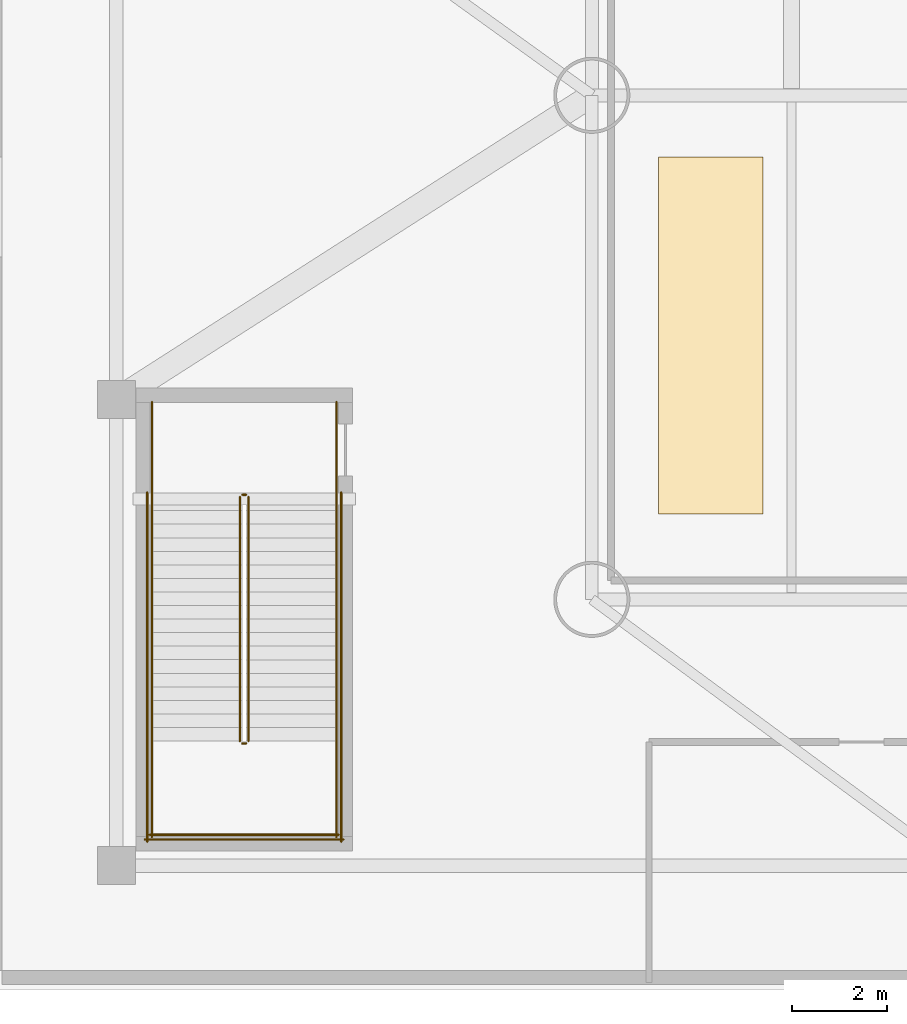
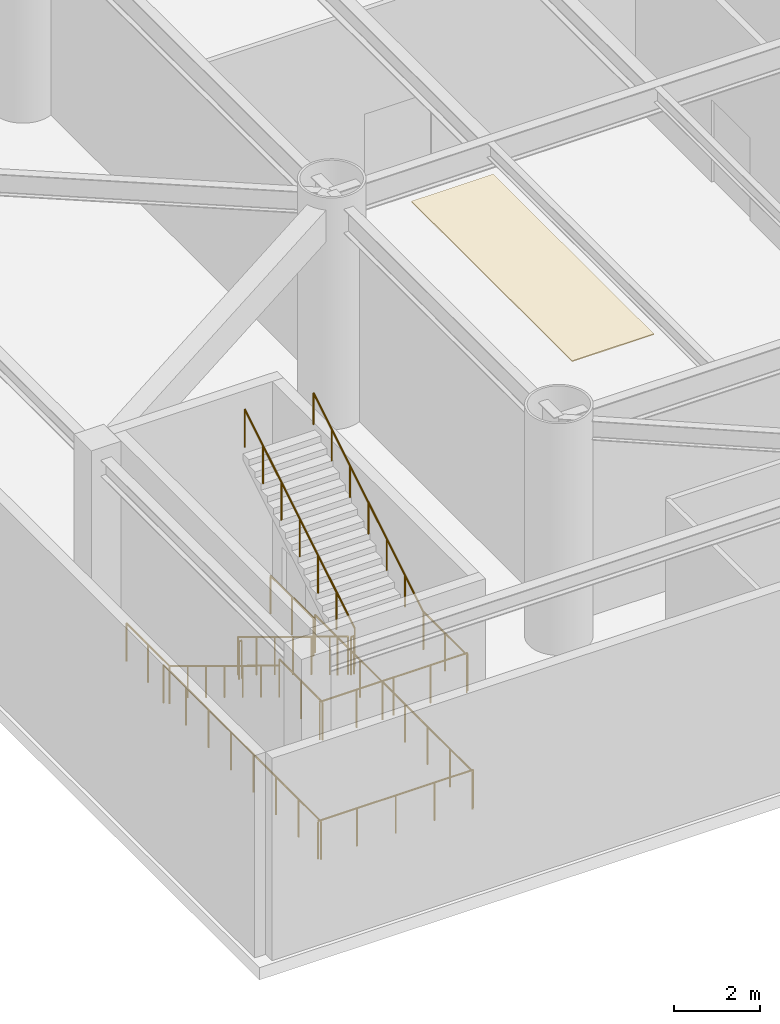
# One storey, part 10 of 16: 14 railings, 1 covering.
"""IFC4 building model written with IfcOpenShell, lengths in metres."""

import ifcopenshell
import ifcopenshell.guid

model = None  # the IFC model being written
_history = None  # IfcOwnerHistory: only IFC2X3 demands one
_inside = {}  # id of a spatial element -> (the spatial element, [elements in it])
_under = {}  # id of a project, library or spatial element -> (it, [spatial elements below it])
_declared = {}  # id of a project -> (the project, [libraries it declares])
_typed = {}  # id of a type object -> (the type object, [elements of that type])
_made_of = {}  # id of a material, layer set ... -> (it, [elements and type objects made of it])


def new_model(schema):
    """Start an empty IFC model of exactly this schema.

    Asked for "IFC4X3", IfcOpenShell would pick the latest addendum, in which some entities
    have other attributes; the version numbers below select the first issue.
    IFC2X3 requires an IfcOwnerHistory on every rooted entity: one is made here for all.
    """
    global model, _history
    if schema == "IFC4X3":
        model = ifcopenshell.file(schema_version=(4, 3, 0, 0))
    else:
        model = ifcopenshell.file(schema=schema)
    _inside.clear()
    _under.clear()
    _declared.clear()
    _typed.clear()
    _made_of.clear()
    _history = None
    if model.schema == "IFC2X3":
        org = make("IfcOrganization", Name="unknown")
        user = make(
            "IfcPersonAndOrganization",
            ThePerson=make("IfcPerson", FamilyName="unknown"),
            TheOrganization=org,
        )
        app = make(
            "IfcApplication",
            ApplicationDeveloper=org,
            Version="unknown",
            ApplicationFullName="unknown",
            ApplicationIdentifier="unknown",
        )
        _history = make(
            "IfcOwnerHistory",
            OwningUser=user,
            OwningApplication=app,
            ChangeAction="ADDED",
            CreationDate=0,
        )
    return model


def make(cls, **values):
    """One entity of the class cls with the attributes given. An attribute that is None is left unset."""
    return model.create_entity(
        cls, **{name: value for name, value in values.items() if value is not None}
    )


def rooted(cls, **values):
    """An entity with a GlobalId (a new one), such as an element, a storey or a relation."""
    return make(cls, GlobalId=ifcopenshell.guid.new(), OwnerHistory=_history, **values)


def si_unit(unit_type, name, prefix=None):
    """IfcSIUnit, for example si_unit("LENGTHUNIT", "METRE", prefix="MILLI")."""
    return make("IfcSIUnit", UnitType=unit_type, Prefix=prefix, Name=name)


def assignment(units):
    """IfcUnitAssignment: the units of a project."""
    return None if units is None else make("IfcUnitAssignment", Units=units)


def point(xyz):
    """IfcCartesianPoint."""
    return None if xyz is None else make("IfcCartesianPoint", Coordinates=xyz)


def direction(xyz):
    """IfcDirection."""
    return None if xyz is None else make("IfcDirection", DirectionRatios=xyz)


def frame(location, z_axis=None, x_axis=None):
    """IfcAxis2Placement3D, a coordinate frame: its origin and axes. An axis left out is left unset."""
    return make(
        "IfcAxis2Placement3D",
        Location=point(location),
        Axis=direction(z_axis),
        RefDirection=direction(x_axis),
    )


def frame_2d(location, x_axis=None):
    """IfcAxis2Placement2D, a coordinate frame in the plane: its origin and x axis."""
    return make(
        "IfcAxis2Placement2D", Location=point(location), RefDirection=direction(x_axis)
    )


def origin():
    """The frame at (0, 0, 0) with its axes left unset."""
    return frame((0.0, 0.0, 0.0))


def origin_2d():
    """The frame at (0, 0) in the plane with its x axis left unset."""
    return frame_2d((0.0, 0.0))


def place(relative_to, where):
    """IfcLocalPlacement: puts the frame where relative to a parent placement (None: the world)."""
    return make(
        "IfcLocalPlacement", PlacementRelTo=relative_to, RelativePlacement=where
    )


def context(
    kind, dimensions, precision=None, world=None, true_north=None, identifier=None
):
    """IfcGeometricRepresentationContext, for example the 3D "Model" context."""
    return make(
        "IfcGeometricRepresentationContext",
        ContextIdentifier=identifier,
        ContextType=kind,
        CoordinateSpaceDimension=dimensions,
        Precision=precision,
        WorldCoordinateSystem=world,
        TrueNorth=true_north,
    )


def subcontext(parent, identifier, kind, view, scale=None):
    """IfcGeometricRepresentationSubContext, for example "Body" below "Model"."""
    return make(
        "IfcGeometricRepresentationSubContext",
        ContextIdentifier=identifier,
        ContextType=kind,
        ParentContext=parent,
        TargetScale=scale,
        TargetView=view,
    )


def project(units=None, contexts=None):
    """IfcProject with its units and contexts."""
    return rooted(
        "IfcProject",
        Name="project",
        RepresentationContexts=contexts,
        UnitsInContext=assignment(units),
    )


def spatial(cls, under=None, at=None, **own):
    """A site, building, storey or space (cls), placed at a placement, below another one or the project."""
    s = rooted(cls, ObjectPlacement=at, **own)
    if under is not None:
        _under.setdefault(under.id(), (under, []))[1].append(s)
    return s


def polyline(points):
    """IfcPolyline through the points."""
    return make("IfcPolyline", Points=[point(p) for p in points])


def profile(cls, at=None, kind="AREA", **sizes):
    """A parametric profile (cls). Its sizes go by their IFC names, for example OverallWidth=200.0."""
    return make(cls, ProfileType=kind, Position=at, **sizes)


def circle(**sizes):
    """IfcCircleProfileDef."""
    return profile("IfcCircleProfileDef", **sizes)


def outline(outer, holes=None, kind="AREA"):
    """IfcArbitraryClosedProfileDef: a profile drawn as a closed curve; with holes, ...WithVoids."""
    if holes is None:
        return make("IfcArbitraryClosedProfileDef", ProfileType=kind, OuterCurve=outer)
    return make(
        "IfcArbitraryProfileDefWithVoids",
        ProfileType=kind,
        OuterCurve=outer,
        InnerCurves=holes,
    )


def extrude(swept, where, along, depth):
    """IfcExtrudedAreaSolid: the profile swept, set in the frame where, extruded along a direction by depth."""
    return make(
        "IfcExtrudedAreaSolid",
        SweptArea=swept,
        Position=where,
        ExtrudedDirection=direction(along),
        Depth=depth,
    )


def shape(context_of_items, identifier, shape_type, items):
    """IfcShapeRepresentation: the items that make up one representation, for example the "Body"."""
    return make(
        "IfcShapeRepresentation",
        ContextOfItems=context_of_items,
        RepresentationIdentifier=identifier,
        RepresentationType=shape_type,
        Items=items,
    )


def material(Name=None, Category=None):
    """IfcMaterial."""
    return make("IfcMaterial", Name=Name, Category=Category)


def layer(
    of_material, thickness, ventilated=None, Name=None, Category=None, Priority=None
):
    """IfcMaterialLayer: one layer of a wall or slab, of a material (None: an air gap)."""
    return make(
        "IfcMaterialLayer",
        Material=of_material,
        LayerThickness=thickness,
        IsVentilated=ventilated,
        Name=Name,
        Category=Category,
        Priority=Priority,
    )


def layer_set(layers, Name=None):
    """IfcMaterialLayerSet."""
    return make("IfcMaterialLayerSet", MaterialLayers=layers, LayerSetName=Name)


def made_of(thing, what):
    """Note that an element or type object is made of a material, layer set ...; save() writes the relation."""
    if what is not None:
        _made_of.setdefault(what.id(), (what, []))[1].append(thing)
    return thing


def type_object(cls, material=None, **own):
    """A type object (cls), such as IfcWallType, which elements share."""
    return made_of(rooted(cls, **own), material)


def element(
    cls,
    number,
    at=None,
    inside=None,
    cuts=None,
    type_object=None,
    material=None,
    context=None,
    identifier="Body",
    shape_type=None,
    held_by="IfcProductDefinitionShape",
    body=None,
    shapes=None,
    **own,
):
    """One element of the class cls, such as IfcWall. Its Tag is "e" and its number.

    at: its placement. inside: the storey or other place that contains it. cuts: it is an
    opening in that element (IfcRelVoidsElement). A single representation is given by context,
    identifier, shape_type and body (its items); several are given by shapes. held_by: the class
    of the entity that holds the representations. save() writes the other relations.
    """
    e = rooted(cls, Tag="e%d" % number, ObjectPlacement=at, **own)
    if body is not None:
        shapes = [shape(context, identifier, shape_type, body)]
    if shapes is not None:
        e.Representation = make(held_by, Representations=shapes)
    if inside is not None:
        _inside.setdefault(inside.id(), (inside, []))[1].append(e)
    if cuts is not None:
        rooted(
            "IfcRelVoidsElement", RelatingBuildingElement=cuts, RelatedOpeningElement=e
        )
    if type_object is not None:
        _typed.setdefault(type_object.id(), (type_object, []))[1].append(e)
    return made_of(e, material)


def aggregate(whole, parts):
    """IfcRelAggregates: a whole, such as a stair, and the parts it consists of."""
    return rooted("IfcRelAggregates", RelatingObject=whole, RelatedObjects=parts)


def save(model, path):
    """Write the relations noted so far, then the file.

    IfcRelAggregates (storeys below a building ...), IfcRelContainedInSpatialStructure (elements
    in a storey), IfcRelDefinesByType, IfcRelAssociatesMaterial and IfcRelDeclares: one each for
    every whole, place, type object, material and project.
    """
    for whole, parts in _under.values():
        aggregate(whole, parts)
    for where, things in _inside.values():
        rooted(
            "IfcRelContainedInSpatialStructure",
            RelatedElements=things,
            RelatingStructure=where,
        )
    for kind, things in _typed.values():
        rooted("IfcRelDefinesByType", RelatedObjects=things, RelatingType=kind)
    for what, things in _made_of.values():
        rooted("IfcRelAssociatesMaterial", RelatedObjects=things, RelatingMaterial=what)
    for by, libraries in _declared.values():
        rooted("IfcRelDeclares", RelatingContext=by, RelatedDefinitions=libraries)
    model.write(path)


model = new_model("IFC4")

# Units and contexts
model_context = context("Model", 3, precision=1e-05, world=origin(), true_north=direction((0.0, 1.0)))
body_context = subcontext(model_context, "Body", "Model", "MODEL_VIEW")
ifc_project = project(units=[si_unit("LENGTHUNIT", "METRE"), si_unit("AREAUNIT", "SQUARE_METRE"), si_unit("VOLUMEUNIT", "CUBIC_METRE"), si_unit("PLANEANGLEUNIT", "RADIAN"), si_unit("MASSUNIT", "GRAM", prefix="KILO")], contexts=[model_context])

# Site, building, storey
site_placement = place(None, origin())
site = spatial("IfcSite", under=ifc_project, at=site_placement, CompositionType="ELEMENT")
building_placement = place(site_placement, origin())
building = spatial("IfcBuilding", under=site, at=building_placement, Name="Bramvorn Convention Spire", CompositionType="ELEMENT")
storey_placement = place(building_placement, frame((0.0, 0.0, 12.0)))
storey = spatial("IfcBuildingStorey", under=building, at=storey_placement, Name="L02", CompositionType="ELEMENT", Elevation=12.0)

# Covering
ifc_material_1 = material(Name="Rift-Cut White Oak Linear Slat Acoustic Ceiling", Category="wood")
ifc_layer = layer(ifc_material_1, 0.030029296875)
ifc_layer_set = layer_set([ifc_layer], Name="Rift-Cut White Oak Linear Slat Acoustic Ceiling - CLG-TIMBER-30")
covering_type = type_object("IfcCoveringType", Name="CLG-TIMBER-30", PredefinedType="CEILING", material=ifc_layer_set)
covering_placement = place(storey_placement, frame((0.0, 0.0, 6.219970703125)))
element("IfcCovering", 1, at=covering_placement, inside=storey, type_object=covering_type, Name="L02 Exhibition Hall oak acoustic ceiling", PredefinedType="CEILING", context=body_context, shape_type="SweptSolid", body=[
    extrude(outline(polyline([(14.199951171875, 10.0), (16.39990234375, 10.0), (16.39990234375, 17.5), (14.199951171875, 17.5), (14.199951171875, 10.0)])), origin(), (0.0, 0.0, 1.0), 0.030029296875),
])

# Railings
ifc_material_2 = material(Name="Painted Steel Balustrade & Guardrail", Category="steel")
railing_type_1 = type_object("IfcRailingType", Name="RL-STAIR-GUARD-1100", PredefinedType="GUARDRAIL", material=ifc_material_2)
railing_1_placement = place(storey_placement, frame((5.39990234375, 10.35009765625, 0.173583984375)))
element("IfcRailing", 2, at=railing_1_placement, inside=storey, type_object=railing_type_1, Name="L02 ST4 stair guard 1", PredefinedType="GUARDRAIL", context=body_context, shape_type="SweptSolid", body=[
    extrude(circle(Radius=0.02392578125, at=origin_2d()), frame((0.0, 0.0, 1.076171875), z_axis=(0.0, -0.853919069452, 0.520405825127), x_axis=(1.0, 0.0, 0.0)), (0.0, 0.0, 1.0), 6.0078125),
    extrude(circle(Radius=0.02099609375, at=origin_2d()), origin(), (0.0, 0.0, 1.0), 1.052001953125),
    extrude(circle(Radius=0.02099609375, at=origin_2d()), frame((0.0, -0.85498046875, 0.52099609375)), (0.0, 0.0, 1.0), 1.052001953125),
    extrude(circle(Radius=0.02099609375, at=origin_2d()), frame((0.0, -1.7099609375, 1.042236328125)), (0.0, 0.0, 1.0), 1.052001953125),
    extrude(circle(Radius=0.02099609375, at=origin_2d()), frame((0.0, -2.56494140625, 1.563232421875)), (0.0, 0.0, 1.0), 1.052001953125),
    extrude(circle(Radius=0.02099609375, at=origin_2d()), frame((0.0, -3.420166015625, 2.084228515625)), (0.0, 0.0, 1.0), 1.052001953125),
    extrude(circle(Radius=0.02099609375, at=origin_2d()), frame((0.0, -4.275146484375, 2.60546875)), (0.0, 0.0, 1.0), 1.052001953125),
    extrude(circle(Radius=0.02099609375, at=origin_2d()), frame((0.0, -5.130126953125, 3.12646484375)), (0.0, 0.0, 1.0), 1.052001953125),
])
railing_2_placement = place(storey_placement, frame((5.449951171875, 5.169921875, 3.300048828125)))
element("IfcRailing", 3, at=railing_2_placement, inside=storey, type_object=railing_type_1, Name="L02 ST4 stair guard 2", PredefinedType="GUARDRAIL", context=body_context, shape_type="SweptSolid", body=[
    extrude(circle(Radius=0.02392578125, at=origin_2d()), frame((0.0, 0.0, 1.076171875), z_axis=(1.0, 0.0, 0.0), x_axis=(0.0, 1.0, 0.0)), (0.0, 0.0, 1.0), 0.080078125),
    extrude(circle(Radius=0.02099609375, at=origin_2d()), origin(), (0.0, 0.0, 1.0), 1.052001953125),
    extrude(circle(Radius=0.02099609375, at=origin_2d()), frame((0.080078125, 0.0, 0.0)), (0.0, 0.0, 1.0), 1.052001953125),
])
for number, where, name in (
    (4, (3.550048828125, 5.219970703125, 3.300048828125), "L02 ST4 stair guard 3"),
    (5, (7.429931640625, 5.219970703125, 3.300048828125), "L02 ST4 stair guard 4"),
):
    element("IfcRailing", number, at=place(storey_placement, frame(where)), inside=storey, type_object=railing_type_1, Name=name, PredefinedType="GUARDRAIL", context=body_context, shape_type="SweptSolid", body=[
        extrude(circle(Radius=0.02392578125, at=origin_2d()), frame((0.0, 0.0, 1.076171875), z_axis=(0.0, -1.0, 0.0), x_axis=(1.0, 0.0, 0.0)), (0.0, 0.0, 1.0), 2.02001953125),
        extrude(circle(Radius=0.02099609375, at=origin_2d()), origin(), (0.0, 0.0, 1.0), 1.052001953125),
        extrude(circle(Radius=0.02099609375, at=origin_2d()), frame((0.0, -1.010009765625, 0.0)), (0.0, 0.0, 1.0), 1.052001953125),
        extrude(circle(Radius=0.02099609375, at=origin_2d()), frame((0.0, -2.02001953125, 0.0)), (0.0, 0.0, 1.0), 1.052001953125),
    ])
railing_3_placement = place(storey_placement, frame((3.5, 3.25, 3.300048828125)))
element("IfcRailing", 6, at=railing_3_placement, inside=storey, type_object=railing_type_1, Name="L02 ST4 stair guard 5", PredefinedType="GUARDRAIL", context=body_context, shape_type="SweptSolid", body=[
    extrude(circle(Radius=0.02392578125, at=origin_2d()), frame((0.0, 0.0, 1.076171875), z_axis=(1.0, 0.0, 0.0), x_axis=(0.0, 1.0, 0.0)), (0.0, 0.0, 1.0), 3.97998046875),
    extrude(circle(Radius=0.02099609375, at=origin_2d()), origin(), (0.0, 0.0, 1.0), 1.052001953125),
    extrude(circle(Radius=0.02099609375, at=origin_2d()), frame((0.9951171875, 0.0, 0.0)), (0.0, 0.0, 1.0), 1.052001953125),
    extrude(circle(Radius=0.02099609375, at=origin_2d()), frame((1.989990234375, 0.0, 0.0)), (0.0, 0.0, 1.0), 1.052001953125),
    extrude(circle(Radius=0.02099609375, at=origin_2d()), frame((2.98486328125, 0.0, 0.0)), (0.0, 0.0, 1.0), 1.052001953125),
    extrude(circle(Radius=0.02099609375, at=origin_2d()), frame((3.97998046875, 0.0, 0.0)), (0.0, 0.0, 1.0), 1.052001953125),
])
railing_4_placement = place(storey_placement, frame((5.580078125, 5.219970703125, 3.4736328125)))
element("IfcRailing", 7, at=railing_4_placement, inside=storey, type_object=railing_type_1, Name="L02 ST4 stair guard 6", PredefinedType="GUARDRAIL", context=body_context, shape_type="SweptSolid", body=[
    extrude(circle(Radius=0.02392578125, at=origin_2d()), frame((0.0, 0.0, 1.076171875), z_axis=(0.0, 0.853919069452, 0.520405825127), x_axis=(-1.0, 0.0, 0.0)), (0.0, 0.0, 1.0), 6.0078125),
    extrude(circle(Radius=0.02099609375, at=origin_2d()), origin(), (0.0, 0.0, 1.0), 1.052001953125),
    extrude(circle(Radius=0.02099609375, at=origin_2d()), frame((0.0, 0.85498046875, 0.52099609375)), (0.0, 0.0, 1.0), 1.052001953125),
    extrude(circle(Radius=0.02099609375, at=origin_2d()), frame((0.0, 1.7099609375, 1.042236328125)), (0.0, 0.0, 1.0), 1.052001953125),
    extrude(circle(Radius=0.02099609375, at=origin_2d()), frame((0.0, 2.56494140625, 1.563232421875)), (0.0, 0.0, 1.0), 1.052001953125),
    extrude(circle(Radius=0.02099609375, at=origin_2d()), frame((0.0, 3.420166015625, 2.084228515625)), (0.0, 0.0, 1.0), 1.052001953125),
    extrude(circle(Radius=0.02099609375, at=origin_2d()), frame((0.0, 4.275146484375, 2.60546875)), (0.0, 0.0, 1.0), 1.052001953125),
    extrude(circle(Radius=0.02099609375, at=origin_2d()), frame((0.0, 5.130126953125, 3.12646484375)), (0.0, 0.0, 1.0), 1.052001953125),
])
railing_5_placement = place(storey_placement, frame((5.449951171875, 10.39990234375, 0.0)))
element("IfcRailing", 8, at=railing_5_placement, inside=storey, type_object=railing_type_1, Name="L02 ST4 stair guard 7", PredefinedType="GUARDRAIL", context=body_context, shape_type="SweptSolid", body=[
    extrude(circle(Radius=0.02392578125, at=origin_2d()), frame((0.0, 0.0, 1.076171875), z_axis=(1.0, 0.0, 0.0), x_axis=(0.0, 1.0, 0.0)), (0.0, 0.0, 1.0), 0.080078125),
    extrude(circle(Radius=0.02099609375, at=origin_2d()), origin(), (0.0, 0.0, 1.0), 1.052001953125),
    extrude(circle(Radius=0.02099609375, at=origin_2d()), frame((0.080078125, 0.0, 0.0)), (0.0, 0.0, 1.0), 1.052001953125),
])
for number, where, name in (
    (9, (3.550048828125, 12.35009765625, 0.0), "L02 ST4 stair guard 8"),
    (10, (7.429931640625, 12.35009765625, 0.0), "L02 ST4 stair guard 9"),
):
    element("IfcRailing", number, at=place(storey_placement, frame(where)), inside=storey, type_object=railing_type_1, Name=name, PredefinedType="GUARDRAIL", context=body_context, shape_type="SweptSolid", body=[
        extrude(circle(Radius=0.02392578125, at=origin_2d()), frame((0.0, 0.0, 1.076171875), z_axis=(0.0, -1.0, 0.0), x_axis=(1.0, 0.0, 0.0)), (0.0, 0.0, 1.0), 2.0),
        extrude(circle(Radius=0.02099609375, at=origin_2d()), origin(), (0.0, 0.0, 1.0), 1.052001953125),
        extrude(circle(Radius=0.02099609375, at=origin_2d()), frame((0.0, -1.0, 0.0)), (0.0, 0.0, 1.0), 1.052001953125),
        extrude(circle(Radius=0.02099609375, at=origin_2d()), frame((0.0, -2.0, 0.0)), (0.0, 0.0, 1.0), 1.052001953125),
    ])
for number, where, name in (
    (11, (3.449951171875, 10.449951171875, 0.0), "L02 ST4 stair guard 10"),
    (12, (7.530029296875, 10.449951171875, 0.0), "L02 ST4 stair guard 11"),
):
    element("IfcRailing", number, at=place(storey_placement, frame(where)), inside=storey, type_object=railing_type_1, Name=name, PredefinedType="GUARDRAIL", context=body_context, shape_type="SweptSolid", body=[
        extrude(circle(Radius=0.02392578125, at=origin_2d()), frame((0.0, 0.0, 1.076171875), z_axis=(0.0, -1.0, 0.0), x_axis=(1.0, 0.0, 0.0)), (0.0, 0.0, 1.0), 7.349853515625),
        extrude(circle(Radius=0.02099609375, at=origin_2d()), origin(), (0.0, 0.0, 1.0), 1.052001953125),
        extrude(circle(Radius=0.02099609375, at=origin_2d()), frame((0.0, -1.050048828125, 0.0)), (0.0, 0.0, 1.0), 1.052001953125),
        extrude(circle(Radius=0.02099609375, at=origin_2d()), frame((0.0, -2.099853515625, 0.0)), (0.0, 0.0, 1.0), 1.052001953125),
        extrude(circle(Radius=0.02099609375, at=origin_2d()), frame((0.0, -3.14990234375, 0.0)), (0.0, 0.0, 1.0), 1.052001953125),
        extrude(circle(Radius=0.02099609375, at=origin_2d()), frame((0.0, -4.199951171875, 0.0)), (0.0, 0.0, 1.0), 1.052001953125),
        extrude(circle(Radius=0.02099609375, at=origin_2d()), frame((0.0, -5.25, 0.0)), (0.0, 0.0, 1.0), 1.052001953125),
        extrude(circle(Radius=0.02099609375, at=origin_2d()), frame((0.0, -6.2998046875, 0.0)), (0.0, 0.0, 1.0), 1.052001953125),
        extrude(circle(Radius=0.02099609375, at=origin_2d()), frame((0.0, -7.349853515625, 0.0)), (0.0, 0.0, 1.0), 1.052001953125),
    ])
railing_6_placement = place(storey_placement, frame((3.39990234375, 3.14990234375, 0.0)))
element("IfcRailing", 13, at=railing_6_placement, inside=storey, type_object=railing_type_1, Name="L02 ST4 stair guard 12", PredefinedType="GUARDRAIL", context=body_context, shape_type="SweptSolid", body=[
    extrude(circle(Radius=0.02392578125, at=origin_2d()), frame((0.0, 0.0, 1.076171875), z_axis=(1.0, 0.0, 0.0), x_axis=(0.0, 1.0, 0.0)), (0.0, 0.0, 1.0), 4.18017578125),
    extrude(circle(Radius=0.02099609375, at=origin_2d()), origin(), (0.0, 0.0, 1.0), 1.052001953125),
    extrude(circle(Radius=0.02099609375, at=origin_2d()), frame((1.044921875, 0.0, 0.0)), (0.0, 0.0, 1.0), 1.052001953125),
    extrude(circle(Radius=0.02099609375, at=origin_2d()), frame((2.090087890625, 0.0, 0.0)), (0.0, 0.0, 1.0), 1.052001953125),
    extrude(circle(Radius=0.02099609375, at=origin_2d()), frame((3.13525390625, 0.0, 0.0)), (0.0, 0.0, 1.0), 1.052001953125),
    extrude(circle(Radius=0.02099609375, at=origin_2d()), frame((4.18017578125, 0.0, 0.0)), (0.0, 0.0, 1.0), 1.052001953125),
])
ifc_material_3 = material(Name="Brushed Bronze Tubular Handrail", Category="aluminium")
railing_type_2 = type_object("IfcRailingType", Name="RL-STAIR-HR-920", PredefinedType="HANDRAIL", material=ifc_material_3)
railing_7_placement = place(storey_placement, frame((3.550048828125, 10.35009765625, 0.173583984375)))
element("IfcRailing", 14, at=railing_7_placement, inside=storey, type_object=railing_type_2, Name="L02 ST4 stair handrail 1", PredefinedType="HANDRAIL", context=body_context, shape_type="SweptSolid", body=[
    extrude(circle(Radius=0.02392578125, at=origin_2d()), frame((0.0, 0.0, 0.89599609375), z_axis=(0.0, -0.853919069452, 0.520405825127), x_axis=(1.0, 0.0, 0.0)), (0.0, 0.0, 1.0), 6.0078125),
    extrude(circle(Radius=0.02099609375, at=origin_2d()), origin(), (0.0, 0.0, 1.0), 0.871826171875),
    extrude(circle(Radius=0.02099609375, at=origin_2d()), frame((0.0, -0.85498046875, 0.52099609375)), (0.0, 0.0, 1.0), 0.871826171875),
    extrude(circle(Radius=0.02099609375, at=origin_2d()), frame((0.0, -1.7099609375, 1.042236328125)), (0.0, 0.0, 1.0), 0.871826171875),
    extrude(circle(Radius=0.02099609375, at=origin_2d()), frame((0.0, -2.56494140625, 1.563232421875)), (0.0, 0.0, 1.0), 0.871826171875),
    extrude(circle(Radius=0.02099609375, at=origin_2d()), frame((0.0, -3.420166015625, 2.084228515625)), (0.0, 0.0, 1.0), 0.871826171875),
    extrude(circle(Radius=0.02099609375, at=origin_2d()), frame((0.0, -4.275146484375, 2.60546875)), (0.0, 0.0, 1.0), 0.871826171875),
    extrude(circle(Radius=0.02099609375, at=origin_2d()), frame((0.0, -5.130126953125, 3.12646484375)), (0.0, 0.0, 1.0), 0.871826171875),
])
railing_8_placement = place(storey_placement, frame((7.429931640625, 5.219970703125, 3.4736328125)))
element("IfcRailing", 15, at=railing_8_placement, inside=storey, type_object=railing_type_2, Name="L02 ST4 stair handrail 2", PredefinedType="HANDRAIL", context=body_context, shape_type="SweptSolid", body=[
    extrude(circle(Radius=0.02392578125, at=origin_2d()), frame((0.0, 0.0, 0.89599609375), z_axis=(0.0, 0.853919069452, 0.520405825127), x_axis=(-1.0, 0.0, 0.0)), (0.0, 0.0, 1.0), 6.0078125),
    extrude(circle(Radius=0.02099609375, at=origin_2d()), origin(), (0.0, 0.0, 1.0), 0.871826171875),
    extrude(circle(Radius=0.02099609375, at=origin_2d()), frame((0.0, 0.85498046875, 0.52099609375)), (0.0, 0.0, 1.0), 0.871826171875),
    extrude(circle(Radius=0.02099609375, at=origin_2d()), frame((0.0, 1.7099609375, 1.042236328125)), (0.0, 0.0, 1.0), 0.871826171875),
    extrude(circle(Radius=0.02099609375, at=origin_2d()), frame((0.0, 2.56494140625, 1.563232421875)), (0.0, 0.0, 1.0), 0.871826171875),
    extrude(circle(Radius=0.02099609375, at=origin_2d()), frame((0.0, 3.420166015625, 2.084228515625)), (0.0, 0.0, 1.0), 0.871826171875),
    extrude(circle(Radius=0.02099609375, at=origin_2d()), frame((0.0, 4.275146484375, 2.60546875)), (0.0, 0.0, 1.0), 0.871826171875),
    extrude(circle(Radius=0.02099609375, at=origin_2d()), frame((0.0, 5.130126953125, 3.12646484375)), (0.0, 0.0, 1.0), 0.871826171875),
])

save(model, "model.ifc")
